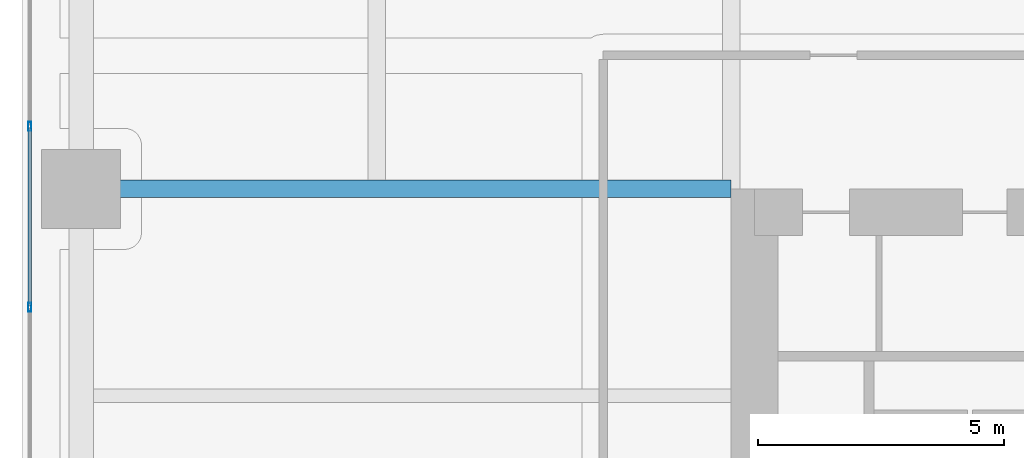
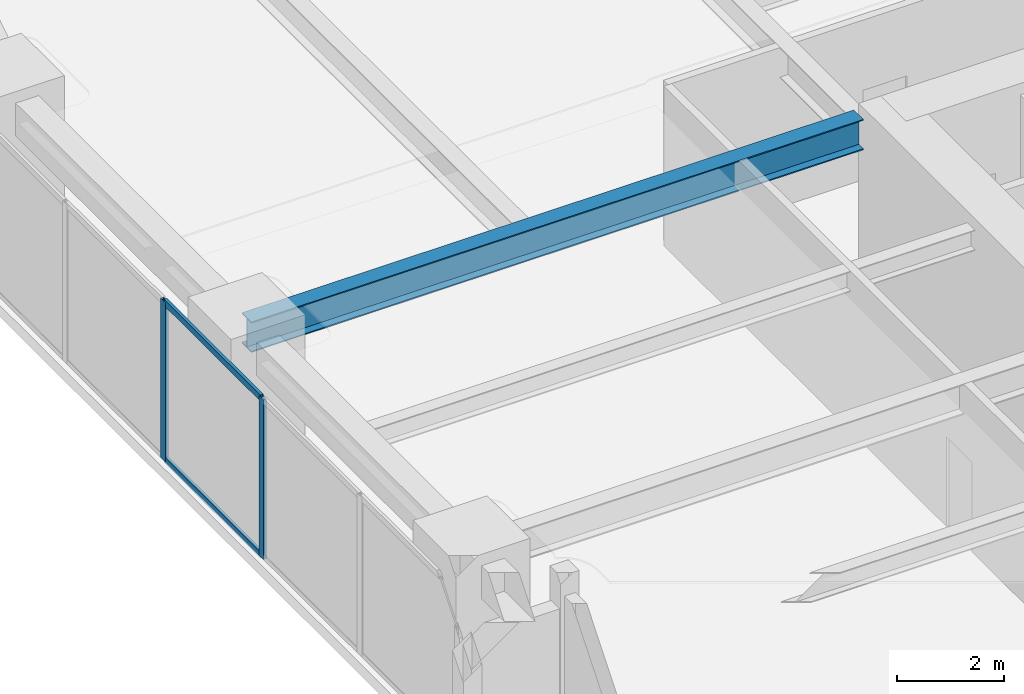
# One storey, part 11 of 29: 4 members, 1 beam, 1 element without a shape of its own.
"""IFC4 building model written with IfcOpenShell, lengths in metres."""

import ifcopenshell
import ifcopenshell.guid

model = None  # the IFC model being written
_history = None  # IfcOwnerHistory: only IFC2X3 demands one
_inside = {}  # id of a spatial element -> (the spatial element, [elements in it])
_under = {}  # id of a project, library or spatial element -> (it, [spatial elements below it])
_declared = {}  # id of a project -> (the project, [libraries it declares])
_typed = {}  # id of a type object -> (the type object, [elements of that type])
_made_of = {}  # id of a material, layer set ... -> (it, [elements and type objects made of it])


def new_model(schema):
    """Start an empty IFC model of exactly this schema.

    Asked for "IFC4X3", IfcOpenShell would pick the latest addendum, in which some entities
    have other attributes; the version numbers below select the first issue.
    IFC2X3 requires an IfcOwnerHistory on every rooted entity: one is made here for all.
    """
    global model, _history
    if schema == "IFC4X3":
        model = ifcopenshell.file(schema_version=(4, 3, 0, 0))
    else:
        model = ifcopenshell.file(schema=schema)
    _inside.clear()
    _under.clear()
    _declared.clear()
    _typed.clear()
    _made_of.clear()
    _history = None
    if model.schema == "IFC2X3":
        org = make("IfcOrganization", Name="unknown")
        user = make(
            "IfcPersonAndOrganization",
            ThePerson=make("IfcPerson", FamilyName="unknown"),
            TheOrganization=org,
        )
        app = make(
            "IfcApplication",
            ApplicationDeveloper=org,
            Version="unknown",
            ApplicationFullName="unknown",
            ApplicationIdentifier="unknown",
        )
        _history = make(
            "IfcOwnerHistory",
            OwningUser=user,
            OwningApplication=app,
            ChangeAction="ADDED",
            CreationDate=0,
        )
    return model


def make(cls, **values):
    """One entity of the class cls with the attributes given. An attribute that is None is left unset."""
    return model.create_entity(
        cls, **{name: value for name, value in values.items() if value is not None}
    )


def rooted(cls, **values):
    """An entity with a GlobalId (a new one), such as an element, a storey or a relation."""
    return make(cls, GlobalId=ifcopenshell.guid.new(), OwnerHistory=_history, **values)


def si_unit(unit_type, name, prefix=None):
    """IfcSIUnit, for example si_unit("LENGTHUNIT", "METRE", prefix="MILLI")."""
    return make("IfcSIUnit", UnitType=unit_type, Prefix=prefix, Name=name)


def assignment(units):
    """IfcUnitAssignment: the units of a project."""
    return None if units is None else make("IfcUnitAssignment", Units=units)


def point(xyz):
    """IfcCartesianPoint."""
    return None if xyz is None else make("IfcCartesianPoint", Coordinates=xyz)


def direction(xyz):
    """IfcDirection."""
    return None if xyz is None else make("IfcDirection", DirectionRatios=xyz)


def frame(location, z_axis=None, x_axis=None):
    """IfcAxis2Placement3D, a coordinate frame: its origin and axes. An axis left out is left unset."""
    return make(
        "IfcAxis2Placement3D",
        Location=point(location),
        Axis=direction(z_axis),
        RefDirection=direction(x_axis),
    )


def frame_2d(location, x_axis=None):
    """IfcAxis2Placement2D, a coordinate frame in the plane: its origin and x axis."""
    return make(
        "IfcAxis2Placement2D", Location=point(location), RefDirection=direction(x_axis)
    )


def origin():
    """The frame at (0, 0, 0) with its axes left unset."""
    return frame((0.0, 0.0, 0.0))


def origin_2d():
    """The frame at (0, 0) in the plane with its x axis left unset."""
    return frame_2d((0.0, 0.0))


def place(relative_to, where):
    """IfcLocalPlacement: puts the frame where relative to a parent placement (None: the world)."""
    return make(
        "IfcLocalPlacement", PlacementRelTo=relative_to, RelativePlacement=where
    )


def context(
    kind, dimensions, precision=None, world=None, true_north=None, identifier=None
):
    """IfcGeometricRepresentationContext, for example the 3D "Model" context."""
    return make(
        "IfcGeometricRepresentationContext",
        ContextIdentifier=identifier,
        ContextType=kind,
        CoordinateSpaceDimension=dimensions,
        Precision=precision,
        WorldCoordinateSystem=world,
        TrueNorth=true_north,
    )


def subcontext(parent, identifier, kind, view, scale=None):
    """IfcGeometricRepresentationSubContext, for example "Body" below "Model"."""
    return make(
        "IfcGeometricRepresentationSubContext",
        ContextIdentifier=identifier,
        ContextType=kind,
        ParentContext=parent,
        TargetScale=scale,
        TargetView=view,
    )


def project(units=None, contexts=None):
    """IfcProject with its units and contexts."""
    return rooted(
        "IfcProject",
        Name="project",
        RepresentationContexts=contexts,
        UnitsInContext=assignment(units),
    )


def spatial(cls, under=None, at=None, **own):
    """A site, building, storey or space (cls), placed at a placement, below another one or the project."""
    s = rooted(cls, ObjectPlacement=at, **own)
    if under is not None:
        _under.setdefault(under.id(), (under, []))[1].append(s)
    return s


def profile(cls, at=None, kind="AREA", **sizes):
    """A parametric profile (cls). Its sizes go by their IFC names, for example OverallWidth=200.0."""
    return make(cls, ProfileType=kind, Position=at, **sizes)


def hollow_rectangle(**sizes):
    """IfcRectangleHollowProfileDef."""
    return profile("IfcRectangleHollowProfileDef", **sizes)


def i_section(**sizes):
    """IfcIShapeProfileDef."""
    return profile("IfcIShapeProfileDef", **sizes)


def extrude(swept, where, along, depth):
    """IfcExtrudedAreaSolid: the profile swept, set in the frame where, extruded along a direction by depth."""
    return make(
        "IfcExtrudedAreaSolid",
        SweptArea=swept,
        Position=where,
        ExtrudedDirection=direction(along),
        Depth=depth,
    )


def shape(context_of_items, identifier, shape_type, items):
    """IfcShapeRepresentation: the items that make up one representation, for example the "Body"."""
    return make(
        "IfcShapeRepresentation",
        ContextOfItems=context_of_items,
        RepresentationIdentifier=identifier,
        RepresentationType=shape_type,
        Items=items,
    )


def material(Name=None, Category=None):
    """IfcMaterial."""
    return make("IfcMaterial", Name=Name, Category=Category)


def layer(
    of_material, thickness, ventilated=None, Name=None, Category=None, Priority=None
):
    """IfcMaterialLayer: one layer of a wall or slab, of a material (None: an air gap)."""
    return make(
        "IfcMaterialLayer",
        Material=of_material,
        LayerThickness=thickness,
        IsVentilated=ventilated,
        Name=Name,
        Category=Category,
        Priority=Priority,
    )


def layer_set(layers, Name=None):
    """IfcMaterialLayerSet."""
    return make("IfcMaterialLayerSet", MaterialLayers=layers, LayerSetName=Name)


def material_profile(
    of_material, cross_section, Name=None, Category=None, Priority=None
):
    """IfcMaterialProfile: a cross section and its material."""
    return make(
        "IfcMaterialProfile",
        Name=Name,
        Material=of_material,
        Profile=cross_section,
        Priority=Priority,
        Category=Category,
    )


def profile_set(profiles, Name=None, composite=None):
    """IfcMaterialProfileSet."""
    return make(
        "IfcMaterialProfileSet",
        Name=Name,
        MaterialProfiles=profiles,
        CompositeProfile=composite,
    )


def made_of(thing, what):
    """Note that an element or type object is made of a material, layer set ...; save() writes the relation."""
    if what is not None:
        _made_of.setdefault(what.id(), (what, []))[1].append(thing)
    return thing


def type_object(cls, material=None, **own):
    """A type object (cls), such as IfcWallType, which elements share."""
    return made_of(rooted(cls, **own), material)


def element(
    cls,
    number,
    at=None,
    inside=None,
    cuts=None,
    type_object=None,
    material=None,
    context=None,
    identifier="Body",
    shape_type=None,
    held_by="IfcProductDefinitionShape",
    body=None,
    shapes=None,
    **own,
):
    """One element of the class cls, such as IfcWall. Its Tag is "e" and its number.

    at: its placement. inside: the storey or other place that contains it. cuts: it is an
    opening in that element (IfcRelVoidsElement). A single representation is given by context,
    identifier, shape_type and body (its items); several are given by shapes. held_by: the class
    of the entity that holds the representations. save() writes the other relations.
    """
    e = rooted(cls, Tag="e%d" % number, ObjectPlacement=at, **own)
    if body is not None:
        shapes = [shape(context, identifier, shape_type, body)]
    if shapes is not None:
        e.Representation = make(held_by, Representations=shapes)
    if inside is not None:
        _inside.setdefault(inside.id(), (inside, []))[1].append(e)
    if cuts is not None:
        rooted(
            "IfcRelVoidsElement", RelatingBuildingElement=cuts, RelatedOpeningElement=e
        )
    if type_object is not None:
        _typed.setdefault(type_object.id(), (type_object, []))[1].append(e)
    return made_of(e, material)


def aggregate(whole, parts):
    """IfcRelAggregates: a whole, such as a stair, and the parts it consists of."""
    return rooted("IfcRelAggregates", RelatingObject=whole, RelatedObjects=parts)


def save(model, path):
    """Write the relations noted so far, then the file.

    IfcRelAggregates (storeys below a building ...), IfcRelContainedInSpatialStructure (elements
    in a storey), IfcRelDefinesByType, IfcRelAssociatesMaterial and IfcRelDeclares: one each for
    every whole, place, type object, material and project.
    """
    for whole, parts in _under.values():
        aggregate(whole, parts)
    for where, things in _inside.values():
        rooted(
            "IfcRelContainedInSpatialStructure",
            RelatedElements=things,
            RelatingStructure=where,
        )
    for kind, things in _typed.values():
        rooted("IfcRelDefinesByType", RelatedObjects=things, RelatingType=kind)
    for what, things in _made_of.values():
        rooted("IfcRelAssociatesMaterial", RelatedObjects=things, RelatingMaterial=what)
    for by, libraries in _declared.values():
        rooted("IfcRelDeclares", RelatingContext=by, RelatedDefinitions=libraries)
    model.write(path)


model = new_model("IFC4")

# Units and contexts
model_context = context("Model", 3, precision=1e-05, world=origin(), true_north=direction((0.0, 1.0)))
body_context = subcontext(model_context, "Body", "Model", "MODEL_VIEW")
ifc_project = project(units=[si_unit("LENGTHUNIT", "METRE"), si_unit("AREAUNIT", "SQUARE_METRE"), si_unit("VOLUMEUNIT", "CUBIC_METRE"), si_unit("PLANEANGLEUNIT", "RADIAN"), si_unit("MASSUNIT", "GRAM", prefix="KILO")], contexts=[model_context])

# Site, building, storey
site_placement = place(None, origin())
site = spatial("IfcSite", under=ifc_project, at=site_placement, CompositionType="ELEMENT")
building_placement = place(site_placement, origin())
building = spatial("IfcBuilding", under=site, at=building_placement, Name="Kiyonajd Concourse Tower", CompositionType="ELEMENT")
storey_placement = place(building_placement, frame((0.0, 0.0, 52.800048828125)))
storey = spatial("IfcBuildingStorey", under=building, at=storey_placement, Name="L14", CompositionType="ELEMENT", Elevation=52.800048828125)

# Beam
ifc_material_1 = material(Name="Steel ASTM A992 Grade 50", Category="steel")
ifc_material_profile_1 = material_profile(ifc_material_1, i_section(OverallWidth=0.35498046875, OverallDepth=0.695068359375, WebThickness=0.015380859375, FlangeThickness=0.02490234375, at=origin_2d()), Name="W690X217")
ifc_profile_set_1 = profile_set([ifc_material_profile_1], Name="Steel ASTM A992 Grade 50")
beam_type = type_object("IfcBeamType", Name="BM-TWR-690", PredefinedType="BEAM", material=ifc_profile_set_1)
beam_placement = place(storey_placement, frame((19.199951171875, 44.39990234375, 3.29248046875), z_axis=(1.0, 0.0, 0.0), x_axis=(0.0, 1.0, 0.0)))
element("IfcBeam", 1, at=beam_placement, inside=storey, type_object=beam_type, Name="L14 West Lease Girder", PredefinedType="BEAM", context=body_context, shape_type="SweptSolid", body=[
    extrude(i_section(OverallWidth=0.35498046875, OverallDepth=0.695068359375, WebThickness=0.015380859375, FlangeThickness=0.02490234375, at=origin_2d()), origin(), (0.0, 0.0, 1.0), 13.199951171875),
])

# Curtain wall, members
ifc_material_2 = material(Name="Thermally Broken Anodised Aluminium", Category="aluminium")
ifc_layer = layer(ifc_material_2, 0.179931640625)
ifc_layer_set = layer_set([ifc_layer], Name="Thermally Broken Anodised Aluminium")
curtain_wall_type = type_object("IfcCurtainWallType", Name="CW-SYS-02", PredefinedType="NOTDEFINED", material=ifc_layer_set)
curtain_wall_placement = place(storey_placement, origin())
curtain_wall = element("IfcCurtainWall", 2, at=curtain_wall_placement, inside=storey, type_object=curtain_wall_type, Name="L14 Unitised Curtain Wall CW2", PredefinedType="NOTDEFINED")
ifc_material_profile_2 = material_profile(ifc_material_2, hollow_rectangle(XDim=0.06494140625, YDim=0.179931640625, WallThickness=0.00390625, at=origin_2d()), Name="MULL-65x180")
ifc_profile_set_2 = profile_set([ifc_material_profile_2], Name="Thermally Broken Anodised Aluminium")
member_type_1 = type_object("IfcMemberType", Name="MB-CW-MULL1", PredefinedType="MULLION", material=ifc_profile_set_2)
member_1_placement = place(storey_placement, frame((18.159912109375, 41.996337890625, 0.0), z_axis=(0.0, 0.0, 1.0), x_axis=(-1.0, 0.0, 0.0)))
member_1 = element("IfcMember", 3, at=member_1_placement, type_object=member_type_1, Name="CW2 mullion 3", PredefinedType="MULLION", context=body_context, shape_type="SweptSolid", body=[
    extrude(hollow_rectangle(XDim=0.06494140625, YDim=0.179931640625, WallThickness=0.00390625, at=origin_2d()), origin(), (0.0, 0.0, 1.0), 3.639892578125),
])
member_2_placement = place(storey_placement, frame((18.159912109375, 45.66943359375, 0.0), z_axis=(0.0, 0.0, 1.0), x_axis=(-1.0, 0.0, 0.0)))
member_2 = element("IfcMember", 4, at=member_2_placement, type_object=member_type_1, Name="CW2 mullion 4", PredefinedType="MULLION", context=body_context, shape_type="SweptSolid", body=[
    extrude(hollow_rectangle(XDim=0.06494140625, YDim=0.179931640625, WallThickness=0.00390625, at=origin_2d()), origin(), (0.0, 0.0, 1.0), 3.639892578125),
])
ifc_material_profile_3 = material_profile(ifc_material_2, hollow_rectangle(XDim=0.06494140625, YDim=0.139892578125, WallThickness=0.00390625, at=origin_2d()), Name="TRAN-65x140")
ifc_profile_set_3 = profile_set([ifc_material_profile_3], Name="Thermally Broken Anodised Aluminium")
member_type_2 = type_object("IfcMemberType", Name="MB-CW-TRAN1", PredefinedType="USERDEFINED", material=ifc_profile_set_3)
member_3_placement = place(storey_placement, frame((18.159912109375, 42.02880859375, 0.032470703125), z_axis=(0.0, 1.0, 0.0), x_axis=(-1.0, 0.0, 0.0)))
member_3 = element("IfcMember", 5, at=member_3_placement, type_object=member_type_2, Name="CW2 transom 3.1", ObjectType="TRANSOM", PredefinedType="USERDEFINED", context=body_context, shape_type="SweptSolid", body=[
    extrude(hollow_rectangle(XDim=0.06494140625, YDim=0.139892578125, WallThickness=0.00390625, at=origin_2d()), origin(), (0.0, 0.0, 1.0), 3.608154296875),
])
member_4_placement = place(storey_placement, frame((18.159912109375, 42.02880859375, 3.607421875), z_axis=(0.0, 1.0, 0.0), x_axis=(-1.0, 0.0, 0.0)))
member_4 = element("IfcMember", 6, at=member_4_placement, type_object=member_type_2, Name="CW2 transom 3.2", ObjectType="TRANSOM", PredefinedType="USERDEFINED", context=body_context, shape_type="SweptSolid", body=[
    extrude(hollow_rectangle(XDim=0.06494140625, YDim=0.139892578125, WallThickness=0.00390625, at=origin_2d()), origin(), (0.0, 0.0, 1.0), 3.608154296875),
])
aggregate(curtain_wall, [member_1, member_2, member_3, member_4])

save(model, "model.ifc")
